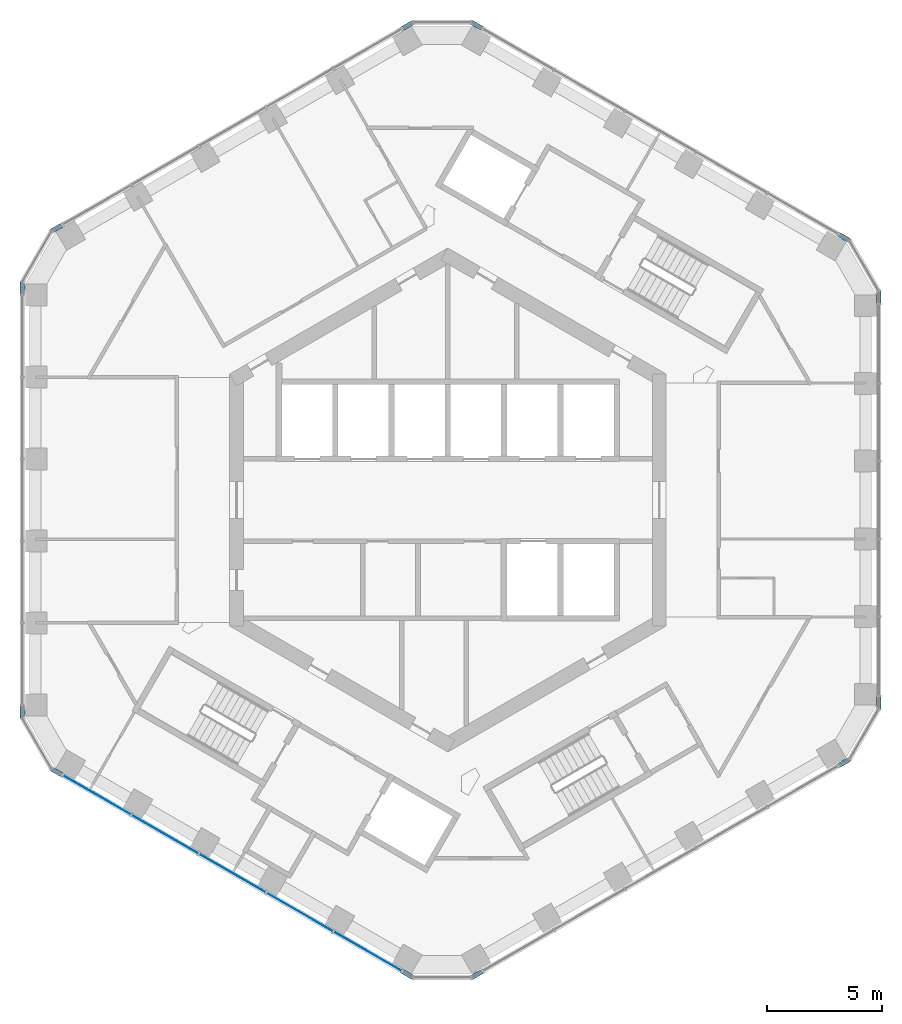
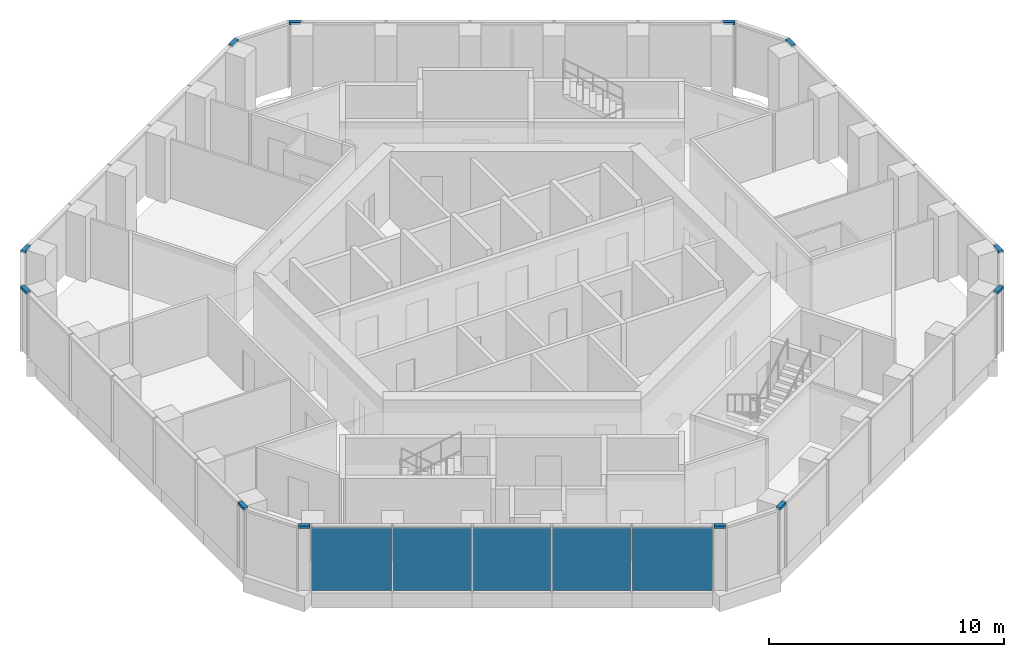
# One storey, part 8 of 18: 12 members, 5 plates, 7 elements without a shape of their own.
"""IFC4 building model written with IfcOpenShell, lengths in metres."""

from ifc_helpers import new_model, si_unit, direction, frame, origin, origin_2d, place, context, subcontext, project, spatial, rectangle, extrude, material, layer, layer_set, material_profile, profile_set, type_object, element, aggregate, save


model = new_model("IFC4")

# Units and contexts
model_context = context("Model", 3, precision=1e-05, world=origin(), true_north=direction((0.0, 1.0)))
body_context = subcontext(model_context, "Body", "Model", "MODEL_VIEW")
ifc_project = project(units=[si_unit("LENGTHUNIT", "METRE"), si_unit("AREAUNIT", "SQUARE_METRE"), si_unit("VOLUMEUNIT", "CUBIC_METRE"), si_unit("PLANEANGLEUNIT", "RADIAN"), si_unit("MASSUNIT", "GRAM", prefix="KILO")], contexts=[model_context])

# Site, building, storey
site_placement = place(None, origin())
site = spatial("IfcSite", under=ifc_project, at=site_placement, CompositionType="ELEMENT")
building_placement = place(site_placement, origin())
building = spatial("IfcBuilding", under=site, at=building_placement, Name="Ayvan Gate Tower", CompositionType="ELEMENT")
storey_placement = place(building_placement, frame((0.0, 0.0, 166.300048828125)))
storey = spatial("IfcBuildingStorey", under=building, at=storey_placement, Name="L44", CompositionType="ELEMENT", Elevation=166.300048828125)

# Curtain wall, members
ifc_material_1 = material(Name="Bronze anodised aluminium", Category="aluminium")
ifc_layer_1 = layer(ifc_material_1, 0.199951171875)
ifc_layer_set_1 = layer_set([ifc_layer_1], Name="Bronze anodised aluminium")
curtain_wall_type_1 = type_object("IfcCurtainWallType", Name="Stick curtain wall CW-6", PredefinedType="NOTDEFINED", material=ifc_layer_set_1)
curtain_wall_1_placement = place(storey_placement, origin())
curtain_wall_1 = element("IfcCurtainWall", 1, at=curtain_wall_1_placement, inside=storey, type_object=curtain_wall_type_1, Name="Stick curtain wall CW-6 L44", PredefinedType="NOTDEFINED")
ifc_material_profile = material_profile(ifc_material_1, rectangle(XDim=0.199951171875, YDim=0.1201171875, at=origin_2d()), Name="Stick curtain wall CW-6 transom 200 x 120")
ifc_profile_set = profile_set([ifc_material_profile], Name="Bronze anodised aluminium")
member_type = type_object("IfcMemberType", Name="Stick curtain wall CW-6 transom 200 x 120", PredefinedType="USERDEFINED", material=ifc_profile_set)
member_1_placement = place(storey_placement, frame((-16.80224609375, 11.963134765625, 3.33984375), z_axis=(-0.865949687125, -0.500131122175, 0.0), x_axis=(0.500131122175, -0.865949687125, 0.0)))
member_1 = element("IfcMember", 2, at=member_1_placement, type_object=member_type, Name="CW-6 transom 1", ObjectType="TRANSOM", PredefinedType="USERDEFINED", context=body_context, shape_type="SweptSolid", body=[
    extrude(rectangle(XDim=0.199951171875, YDim=0.1201171875, at=origin_2d()), origin(), (0.0, 0.0, 1.0), 0.499755859375),
])
member_2_placement = place(storey_placement, frame((-18.524169921875, 9.480712890625, 3.33984375), z_axis=(0.0, -1.0, 0.0), x_axis=(1.0, 0.0, 0.0)))
member_2 = element("IfcMember", 3, at=member_2_placement, type_object=member_type, Name="CW-6 transom 3", ObjectType="TRANSOM", PredefinedType="USERDEFINED", context=body_context, shape_type="SweptSolid", body=[
    extrude(rectangle(XDim=0.199951171875, YDim=0.1201171875, at=origin_2d()), origin(), (0.0, 0.0, 1.0), 0.5),
])
aggregate(curtain_wall_1, [member_1, member_2])

curtain_wall_2_placement = place(storey_placement, origin())
curtain_wall_2 = element("IfcCurtainWall", 4, at=curtain_wall_2_placement, inside=storey, type_object=curtain_wall_type_1, Name="Stick curtain wall CW-6 L44", PredefinedType="NOTDEFINED")
member_3_placement = place(storey_placement, frame((-18.524169921875, -8.980712890625, 3.33984375), z_axis=(0.0, -1.0, 0.0), x_axis=(1.0, 0.0, 0.0)))
member_3 = element("IfcMember", 5, at=member_3_placement, type_object=member_type, Name="CW-6 transom 1", ObjectType="TRANSOM", PredefinedType="USERDEFINED", context=body_context, shape_type="SweptSolid", body=[
    extrude(rectangle(XDim=0.199951171875, YDim=0.1201171875, at=origin_2d()), origin(), (0.0, 0.0, 1.0), 0.5),
])
member_4_placement = place(storey_placement, frame((-17.235107421875, -11.713134765625, 3.33984375), z_axis=(0.865949687125, -0.500131122175, 0.0), x_axis=(0.500131122175, 0.865949687125, 0.0)))
member_4 = element("IfcMember", 6, at=member_4_placement, type_object=member_type, Name="CW-6 transom 3", ObjectType="TRANSOM", PredefinedType="USERDEFINED", context=body_context, shape_type="SweptSolid", body=[
    extrude(rectangle(XDim=0.199951171875, YDim=0.1201171875, at=origin_2d()), origin(), (0.0, 0.0, 1.0), 0.499755859375),
])
aggregate(curtain_wall_2, [member_3, member_4])

curtain_wall_3_placement = place(storey_placement, origin())
curtain_wall_3 = element("IfcCurtainWall", 7, at=curtain_wall_3_placement, inside=storey, type_object=curtain_wall_type_1, Name="Stick curtain wall CW-6 L44", PredefinedType="NOTDEFINED")
member_5_placement = place(storey_placement, frame((-1.959228515625, -20.53271484375, 3.33984375), z_axis=(0.865949687125, -0.500131122175, 0.0), x_axis=(0.500131122175, 0.865949687125, 0.0)))
member_5 = element("IfcMember", 8, at=member_5_placement, type_object=member_type, Name="CW-6 transom 1", ObjectType="TRANSOM", PredefinedType="USERDEFINED", context=body_context, shape_type="SweptSolid", body=[
    extrude(rectangle(XDim=0.199951171875, YDim=0.1201171875, at=origin_2d()), origin(), (0.0, 0.0, 1.0), 0.499755859375),
])
member_6_placement = place(storey_placement, frame((1.051513671875, -20.78271484375, 3.33984375), z_axis=(0.866071776036, 0.499919672301, 0.0), x_axis=(-0.499919672301, 0.866071776036, 0.0)))
member_6 = element("IfcMember", 9, at=member_6_placement, type_object=member_type, Name="CW-6 transom 3", ObjectType="TRANSOM", PredefinedType="USERDEFINED", context=body_context, shape_type="SweptSolid", body=[
    extrude(rectangle(XDim=0.199951171875, YDim=0.1201171875, at=origin_2d()), origin(), (0.0, 0.0, 1.0), 0.5),
])
aggregate(curtain_wall_3, [member_5, member_6])

curtain_wall_4_placement = place(storey_placement, origin())
curtain_wall_4 = element("IfcCurtainWall", 10, at=curtain_wall_4_placement, inside=storey, type_object=curtain_wall_type_1, Name="Stick curtain wall CW-6 L44", PredefinedType="NOTDEFINED")
member_7_placement = place(storey_placement, frame((17.03955078125, -11.552001953125, 3.33984375), z_axis=(0.866071776036, 0.499919672301, 0.0), x_axis=(-0.499919672301, 0.866071776036, 0.0)))
member_7 = element("IfcMember", 11, at=member_7_placement, type_object=member_type, Name="CW-6 transom 1", ObjectType="TRANSOM", PredefinedType="USERDEFINED", context=body_context, shape_type="SweptSolid", body=[
    extrude(rectangle(XDim=0.199951171875, YDim=0.1201171875, at=origin_2d()), origin(), (0.0, 0.0, 1.0), 0.5),
])
member_8_placement = place(storey_placement, frame((18.761474609375, -9.069580078125, 3.33984375), z_axis=(0.0, 1.0, 0.0), x_axis=(-1.0, 0.0, 0.0)))
member_8 = element("IfcMember", 12, at=member_8_placement, type_object=member_type, Name="CW-6 transom 3", ObjectType="TRANSOM", PredefinedType="USERDEFINED", context=body_context, shape_type="SweptSolid", body=[
    extrude(rectangle(XDim=0.199951171875, YDim=0.1201171875, at=origin_2d()), origin(), (0.0, 0.0, 1.0), 0.5),
])
aggregate(curtain_wall_4, [member_7, member_8])

curtain_wall_5_placement = place(storey_placement, origin())
curtain_wall_5 = element("IfcCurtainWall", 13, at=curtain_wall_5_placement, inside=storey, type_object=curtain_wall_type_1, Name="Stick curtain wall CW-6 L44", PredefinedType="NOTDEFINED")
member_9_placement = place(storey_placement, frame((18.761474609375, 8.569580078125, 3.33984375), z_axis=(0.0, 1.0, 0.0), x_axis=(-1.0, 0.0, 0.0)))
member_9 = element("IfcMember", 14, at=member_9_placement, type_object=member_type, Name="CW-6 transom 1", ObjectType="TRANSOM", PredefinedType="USERDEFINED", context=body_context, shape_type="SweptSolid", body=[
    extrude(rectangle(XDim=0.199951171875, YDim=0.1201171875, at=origin_2d()), origin(), (0.0, 0.0, 1.0), 0.5),
])
member_10_placement = place(storey_placement, frame((17.47265625, 11.302001953125, 3.33984375), z_axis=(-0.866071776036, 0.499919672301, 0.0), x_axis=(-0.499919672301, -0.866071776036, 0.0)))
member_10 = element("IfcMember", 15, at=member_10_placement, type_object=member_type, Name="CW-6 transom 3", ObjectType="TRANSOM", PredefinedType="USERDEFINED", context=body_context, shape_type="SweptSolid", body=[
    extrude(rectangle(XDim=0.199951171875, YDim=0.1201171875, at=origin_2d()), origin(), (0.0, 0.0, 1.0), 0.5),
])
aggregate(curtain_wall_5, [member_9, member_10])

curtain_wall_6_placement = place(storey_placement, origin())
curtain_wall_6 = element("IfcCurtainWall", 16, at=curtain_wall_6_placement, inside=storey, type_object=curtain_wall_type_1, Name="Stick curtain wall CW-6 L44", PredefinedType="NOTDEFINED")
member_11_placement = place(storey_placement, frame((1.484619140625, 20.53271484375, 3.33984375), z_axis=(-0.866071776036, 0.499919672301, 0.0), x_axis=(-0.499919672301, -0.866071776036, 0.0)))
member_11 = element("IfcMember", 17, at=member_11_placement, type_object=member_type, Name="CW-6 transom 1", ObjectType="TRANSOM", PredefinedType="USERDEFINED", context=body_context, shape_type="SweptSolid", body=[
    extrude(rectangle(XDim=0.199951171875, YDim=0.1201171875, at=origin_2d()), origin(), (0.0, 0.0, 1.0), 0.5),
])
member_12_placement = place(storey_placement, frame((-1.5263671875, 20.78271484375, 3.33984375), z_axis=(-0.865949687125, -0.500131122175, 0.0), x_axis=(0.500131122175, -0.865949687125, 0.0)))
member_12 = element("IfcMember", 18, at=member_12_placement, type_object=member_type, Name="CW-6 transom 3", ObjectType="TRANSOM", PredefinedType="USERDEFINED", context=body_context, shape_type="SweptSolid", body=[
    extrude(rectangle(XDim=0.199951171875, YDim=0.1201171875, at=origin_2d()), origin(), (0.0, 0.0, 1.0), 0.499755859375),
])
aggregate(curtain_wall_6, [member_11, member_12])

# Curtain wall, plates
ifc_layer_2 = layer(ifc_material_1, 0.199951171875)
ifc_layer_set_2 = layer_set([ifc_layer_2], Name="Bronze anodised aluminium")
curtain_wall_type_2 = type_object("IfcCurtainWallType", Name="Stick curtain wall CW-2", PredefinedType="NOTDEFINED", material=ifc_layer_set_2)
curtain_wall_7_placement = place(storey_placement, origin())
curtain_wall_7 = element("IfcCurtainWall", 19, at=curtain_wall_7_placement, inside=storey, type_object=curtain_wall_type_2, Name="Stick curtain wall CW-2 L44", PredefinedType="NOTDEFINED")
ifc_material_2 = material(Name="Clear low-iron laminated glass", Category="glass")
ifc_layer_3 = layer(ifc_material_2, 0.028076171875)
ifc_layer_set_3 = layer_set([ifc_layer_3], Name="Clear low-iron laminated glass")
plate_type = type_object("IfcPlateType", Name="Stick curtain wall CW-2 glass panel", PredefinedType="CURTAIN_PANEL", material=ifc_layer_set_3)
plate_1_placement = place(storey_placement, frame((-15.289306640625, -12.836669921875, 0.0), z_axis=(0.0, 0.0, 1.0), x_axis=(0.866025403784, -0.5, 0.0)))
plate_1 = element("IfcPlate", 20, at=plate_1_placement, type_object=plate_type, Name="CW-2 glass panel 1", PredefinedType="CURTAIN_PANEL", context=body_context, shape_type="SweptSolid", body=[
    extrude(rectangle(XDim=3.424072265625, YDim=0.028076171875, at=origin_2d()), origin(), (0.0, 0.0, 1.0), 3.280029296875),
])
plate_2_placement = place(storey_placement, frame((-12.31103515625, -14.55615234375, 0.0), z_axis=(0.0, 0.0, 1.0), x_axis=(0.866025403784, -0.5, 0.0)))
plate_2 = element("IfcPlate", 21, at=plate_2_placement, type_object=plate_type, Name="CW-2 glass panel 2", PredefinedType="CURTAIN_PANEL", context=body_context, shape_type="SweptSolid", body=[
    extrude(rectangle(XDim=3.31396484375, YDim=0.028076171875, at=origin_2d()), origin(), (0.0, 0.0, 1.0), 3.280029296875),
])
plate_3_placement = place(storey_placement, frame((-9.380859375, -16.248046875, 0.0), z_axis=(0.0, 0.0, 1.0), x_axis=(0.866025403784, -0.5, 0.0)))
plate_3 = element("IfcPlate", 22, at=plate_3_placement, type_object=plate_type, Name="CW-2 glass panel 3", PredefinedType="CURTAIN_PANEL", context=body_context, shape_type="SweptSolid", body=[
    extrude(rectangle(XDim=3.31298828125, YDim=0.028076171875, at=origin_2d()), origin(), (0.0, 0.0, 1.0), 3.280029296875),
])
plate_4_placement = place(storey_placement, frame((-6.45068359375, -17.939697265625, 0.0), z_axis=(0.0, 0.0, 1.0), x_axis=(0.866025403784, -0.5, 0.0)))
plate_4 = element("IfcPlate", 23, at=plate_4_placement, type_object=plate_type, Name="CW-2 glass panel 4", PredefinedType="CURTAIN_PANEL", context=body_context, shape_type="SweptSolid", body=[
    extrude(rectangle(XDim=3.31396484375, YDim=0.028076171875, at=origin_2d()), origin(), (0.0, 0.0, 1.0), 3.280029296875),
])
plate_5_placement = place(storey_placement, frame((-3.472412109375, -19.6591796875, 0.0), z_axis=(0.0, 0.0, 1.0), x_axis=(0.866025403784, -0.5, 0.0)))
plate_5 = element("IfcPlate", 24, at=plate_5_placement, type_object=plate_type, Name="CW-2 glass panel 5", PredefinedType="CURTAIN_PANEL", context=body_context, shape_type="SweptSolid", body=[
    extrude(rectangle(XDim=3.424072265625, YDim=0.028076171875, at=origin_2d()), origin(), (0.0, 0.0, 1.0), 3.280029296875),
])
aggregate(curtain_wall_7, [plate_1, plate_2, plate_3, plate_4, plate_5])

save(model, "model.ifc")
